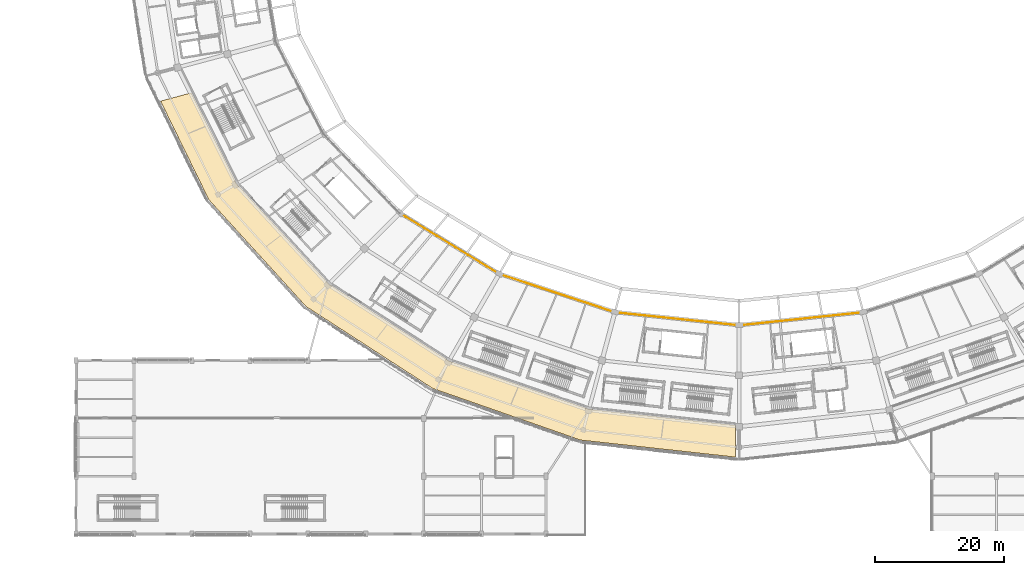
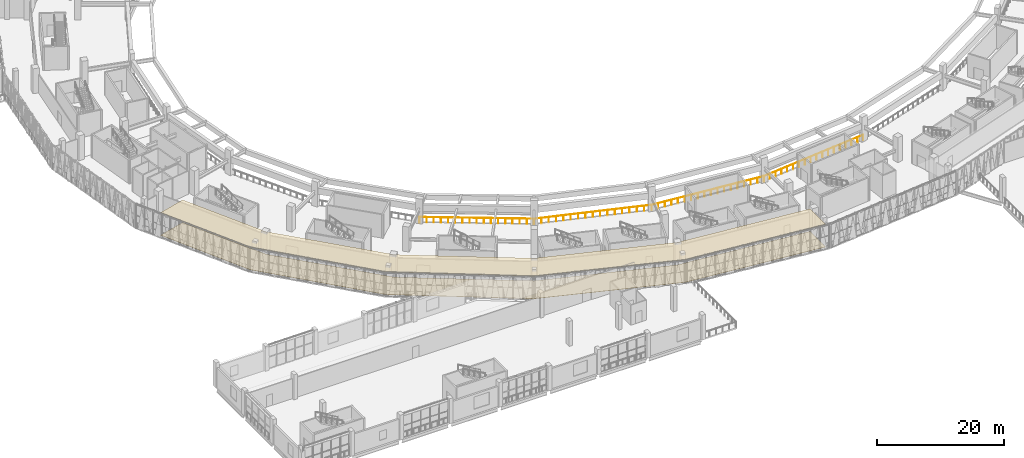
# One storey, part 135 of 179: 4 railings, 2 coverings.
"""IFC4 building model written with IfcOpenShell, lengths in metres."""

import ifcopenshell
import ifcopenshell.guid

model = None  # the IFC model being written
_history = None  # IfcOwnerHistory: only IFC2X3 demands one
_inside = {}  # id of a spatial element -> (the spatial element, [elements in it])
_under = {}  # id of a project, library or spatial element -> (it, [spatial elements below it])
_declared = {}  # id of a project -> (the project, [libraries it declares])
_typed = {}  # id of a type object -> (the type object, [elements of that type])
_made_of = {}  # id of a material, layer set ... -> (it, [elements and type objects made of it])


def new_model(schema):
    """Start an empty IFC model of exactly this schema.

    Asked for "IFC4X3", IfcOpenShell would pick the latest addendum, in which some entities
    have other attributes; the version numbers below select the first issue.
    IFC2X3 requires an IfcOwnerHistory on every rooted entity: one is made here for all.
    """
    global model, _history
    if schema == "IFC4X3":
        model = ifcopenshell.file(schema_version=(4, 3, 0, 0))
    else:
        model = ifcopenshell.file(schema=schema)
    _inside.clear()
    _under.clear()
    _declared.clear()
    _typed.clear()
    _made_of.clear()
    _history = None
    if model.schema == "IFC2X3":
        org = make("IfcOrganization", Name="unknown")
        user = make(
            "IfcPersonAndOrganization",
            ThePerson=make("IfcPerson", FamilyName="unknown"),
            TheOrganization=org,
        )
        app = make(
            "IfcApplication",
            ApplicationDeveloper=org,
            Version="unknown",
            ApplicationFullName="unknown",
            ApplicationIdentifier="unknown",
        )
        _history = make(
            "IfcOwnerHistory",
            OwningUser=user,
            OwningApplication=app,
            ChangeAction="ADDED",
            CreationDate=0,
        )
    return model


def make(cls, **values):
    """One entity of the class cls with the attributes given. An attribute that is None is left unset."""
    return model.create_entity(
        cls, **{name: value for name, value in values.items() if value is not None}
    )


def rooted(cls, **values):
    """An entity with a GlobalId (a new one), such as an element, a storey or a relation."""
    return make(cls, GlobalId=ifcopenshell.guid.new(), OwnerHistory=_history, **values)


def si_unit(unit_type, name, prefix=None):
    """IfcSIUnit, for example si_unit("LENGTHUNIT", "METRE", prefix="MILLI")."""
    return make("IfcSIUnit", UnitType=unit_type, Prefix=prefix, Name=name)


def assignment(units):
    """IfcUnitAssignment: the units of a project."""
    return None if units is None else make("IfcUnitAssignment", Units=units)


def point(xyz):
    """IfcCartesianPoint."""
    return None if xyz is None else make("IfcCartesianPoint", Coordinates=xyz)


def direction(xyz):
    """IfcDirection."""
    return None if xyz is None else make("IfcDirection", DirectionRatios=xyz)


def frame(location, z_axis=None, x_axis=None):
    """IfcAxis2Placement3D, a coordinate frame: its origin and axes. An axis left out is left unset."""
    return make(
        "IfcAxis2Placement3D",
        Location=point(location),
        Axis=direction(z_axis),
        RefDirection=direction(x_axis),
    )


def frame_2d(location, x_axis=None):
    """IfcAxis2Placement2D, a coordinate frame in the plane: its origin and x axis."""
    return make(
        "IfcAxis2Placement2D", Location=point(location), RefDirection=direction(x_axis)
    )


def origin():
    """The frame at (0, 0, 0) with its axes left unset."""
    return frame((0.0, 0.0, 0.0))


def origin_2d():
    """The frame at (0, 0) in the plane with its x axis left unset."""
    return frame_2d((0.0, 0.0))


def place(relative_to, where):
    """IfcLocalPlacement: puts the frame where relative to a parent placement (None: the world)."""
    return make(
        "IfcLocalPlacement", PlacementRelTo=relative_to, RelativePlacement=where
    )


def context(
    kind, dimensions, precision=None, world=None, true_north=None, identifier=None
):
    """IfcGeometricRepresentationContext, for example the 3D "Model" context."""
    return make(
        "IfcGeometricRepresentationContext",
        ContextIdentifier=identifier,
        ContextType=kind,
        CoordinateSpaceDimension=dimensions,
        Precision=precision,
        WorldCoordinateSystem=world,
        TrueNorth=true_north,
    )


def subcontext(parent, identifier, kind, view, scale=None):
    """IfcGeometricRepresentationSubContext, for example "Body" below "Model"."""
    return make(
        "IfcGeometricRepresentationSubContext",
        ContextIdentifier=identifier,
        ContextType=kind,
        ParentContext=parent,
        TargetScale=scale,
        TargetView=view,
    )


def project(units=None, contexts=None):
    """IfcProject with its units and contexts."""
    return rooted(
        "IfcProject",
        Name="project",
        RepresentationContexts=contexts,
        UnitsInContext=assignment(units),
    )


def spatial(cls, under=None, at=None, **own):
    """A site, building, storey or space (cls), placed at a placement, below another one or the project."""
    s = rooted(cls, ObjectPlacement=at, **own)
    if under is not None:
        _under.setdefault(under.id(), (under, []))[1].append(s)
    return s


def polyline(points):
    """IfcPolyline through the points."""
    return make("IfcPolyline", Points=[point(p) for p in points])


def profile(cls, at=None, kind="AREA", **sizes):
    """A parametric profile (cls). Its sizes go by their IFC names, for example OverallWidth=200.0."""
    return make(cls, ProfileType=kind, Position=at, **sizes)


def circle(**sizes):
    """IfcCircleProfileDef."""
    return profile("IfcCircleProfileDef", **sizes)


def outline(outer, holes=None, kind="AREA"):
    """IfcArbitraryClosedProfileDef: a profile drawn as a closed curve; with holes, ...WithVoids."""
    if holes is None:
        return make("IfcArbitraryClosedProfileDef", ProfileType=kind, OuterCurve=outer)
    return make(
        "IfcArbitraryProfileDefWithVoids",
        ProfileType=kind,
        OuterCurve=outer,
        InnerCurves=holes,
    )


def extrude(swept, where, along, depth):
    """IfcExtrudedAreaSolid: the profile swept, set in the frame where, extruded along a direction by depth."""
    return make(
        "IfcExtrudedAreaSolid",
        SweptArea=swept,
        Position=where,
        ExtrudedDirection=direction(along),
        Depth=depth,
    )


def shape(context_of_items, identifier, shape_type, items):
    """IfcShapeRepresentation: the items that make up one representation, for example the "Body"."""
    return make(
        "IfcShapeRepresentation",
        ContextOfItems=context_of_items,
        RepresentationIdentifier=identifier,
        RepresentationType=shape_type,
        Items=items,
    )


def material(Name=None, Category=None):
    """IfcMaterial."""
    return make("IfcMaterial", Name=Name, Category=Category)


def layer(
    of_material, thickness, ventilated=None, Name=None, Category=None, Priority=None
):
    """IfcMaterialLayer: one layer of a wall or slab, of a material (None: an air gap)."""
    return make(
        "IfcMaterialLayer",
        Material=of_material,
        LayerThickness=thickness,
        IsVentilated=ventilated,
        Name=Name,
        Category=Category,
        Priority=Priority,
    )


def layer_set(layers, Name=None):
    """IfcMaterialLayerSet."""
    return make("IfcMaterialLayerSet", MaterialLayers=layers, LayerSetName=Name)


def made_of(thing, what):
    """Note that an element or type object is made of a material, layer set ...; save() writes the relation."""
    if what is not None:
        _made_of.setdefault(what.id(), (what, []))[1].append(thing)
    return thing


def type_object(cls, material=None, **own):
    """A type object (cls), such as IfcWallType, which elements share."""
    return made_of(rooted(cls, **own), material)


def element(
    cls,
    number,
    at=None,
    inside=None,
    cuts=None,
    type_object=None,
    material=None,
    context=None,
    identifier="Body",
    shape_type=None,
    held_by="IfcProductDefinitionShape",
    body=None,
    shapes=None,
    **own,
):
    """One element of the class cls, such as IfcWall. Its Tag is "e" and its number.

    at: its placement. inside: the storey or other place that contains it. cuts: it is an
    opening in that element (IfcRelVoidsElement). A single representation is given by context,
    identifier, shape_type and body (its items); several are given by shapes. held_by: the class
    of the entity that holds the representations. save() writes the other relations.
    """
    e = rooted(cls, Tag="e%d" % number, ObjectPlacement=at, **own)
    if body is not None:
        shapes = [shape(context, identifier, shape_type, body)]
    if shapes is not None:
        e.Representation = make(held_by, Representations=shapes)
    if inside is not None:
        _inside.setdefault(inside.id(), (inside, []))[1].append(e)
    if cuts is not None:
        rooted(
            "IfcRelVoidsElement", RelatingBuildingElement=cuts, RelatedOpeningElement=e
        )
    if type_object is not None:
        _typed.setdefault(type_object.id(), (type_object, []))[1].append(e)
    return made_of(e, material)


def aggregate(whole, parts):
    """IfcRelAggregates: a whole, such as a stair, and the parts it consists of."""
    return rooted("IfcRelAggregates", RelatingObject=whole, RelatedObjects=parts)


def save(model, path):
    """Write the relations noted so far, then the file.

    IfcRelAggregates (storeys below a building ...), IfcRelContainedInSpatialStructure (elements
    in a storey), IfcRelDefinesByType, IfcRelAssociatesMaterial and IfcRelDeclares: one each for
    every whole, place, type object, material and project.
    """
    for whole, parts in _under.values():
        aggregate(whole, parts)
    for where, things in _inside.values():
        rooted(
            "IfcRelContainedInSpatialStructure",
            RelatedElements=things,
            RelatingStructure=where,
        )
    for kind, things in _typed.values():
        rooted("IfcRelDefinesByType", RelatedObjects=things, RelatingType=kind)
    for what, things in _made_of.values():
        rooted("IfcRelAssociatesMaterial", RelatedObjects=things, RelatingMaterial=what)
    for by, libraries in _declared.values():
        rooted("IfcRelDeclares", RelatingContext=by, RelatedDefinitions=libraries)
    model.write(path)


model = new_model("IFC4")

# Units and contexts
model_context = context("Model", 3, precision=1e-05, world=origin(), true_north=direction((0.0, 1.0)))
body_context = subcontext(model_context, "Body", "Model", "MODEL_VIEW")
ifc_project = project(units=[si_unit("LENGTHUNIT", "METRE"), si_unit("AREAUNIT", "SQUARE_METRE"), si_unit("VOLUMEUNIT", "CUBIC_METRE"), si_unit("PLANEANGLEUNIT", "RADIAN"), si_unit("MASSUNIT", "GRAM", prefix="KILO")], contexts=[model_context])

# Site, building, storey
site_placement = place(None, origin())
site = spatial("IfcSite", under=ifc_project, at=site_placement, CompositionType="ELEMENT")
building_placement = place(site_placement, origin())
building = spatial("IfcBuilding", under=site, at=building_placement, Name="Zevraka Park Crest Stadium", CompositionType="ELEMENT")
storey_placement = place(building_placement, frame((0.0, 0.0, 10.199951171875)))
storey = spatial("IfcBuildingStorey", under=building, at=storey_placement, Name="L02", CompositionType="ELEMENT", Elevation=10.199951171875)

# Coverings
ifc_material_1 = material(Name="Perforated acoustic mineral-fibre suspended ceiling", Category="other")
ifc_layer_1 = layer(ifc_material_1, 0.02490234375)
ifc_layer_set_1 = layer_set([ifc_layer_1], Name="Perforated acoustic mineral-fibre suspended ceiling")
covering_type_1 = type_object("IfcCoveringType", Name="CLG01", PredefinedType="CEILING", material=ifc_layer_set_1)
covering_1_placement = place(storey_placement, frame((0.0, 0.0, 4.360107421875)))
element("IfcCovering", 1, at=covering_1_placement, inside=storey, type_object=covering_type_1, Name="Acoustic Ceiling West Club Members Lounge L02-039", PredefinedType="CEILING", context=body_context, shape_type="SweptSolid", body=[
    extrude(outline(polyline([(33.9130859375, 54.430908203125), (33.922119140625, 54.4140625), (33.93310546875, 54.39892578125), (33.945068359375, 54.385009765625), (48.241943359375, 38.860107421875), (48.25390625, 38.846923828125), (48.26708984375, 38.8359375), (48.281005859375, 38.825927734375), (66.912109375, 26.9140625), (66.93310546875, 26.903076171875), (66.955078125, 26.89404296875), (88.652099609375, 19.405029296875), (88.673095703125, 19.39892578125), (88.695068359375, 19.39501953125), (111.445068359375, 16.89892578125), (111.445068359375, 11.968994140625), (87.366943359375, 14.615966796875), (64.4150390625, 22.631103515625), (44.715087890625, 35.3740234375), (29.614013671875, 51.965087890625), (22.115966796875, 67.281982421875), (26.885009765625, 68.56591796875), (33.9130859375, 54.430908203125)])), origin(), (0.0, 0.0, 1.0), 0.02490234375),
])
ifc_material_2 = material(Name="Honed terrazzo and slip-resistant sports flooring", Category="other")
ifc_layer_2 = layer(ifc_material_2, 0.0400390625)
ifc_layer_set_2 = layer_set([ifc_layer_2], Name="Honed terrazzo and slip-resistant sports flooring")
covering_type_2 = type_object("IfcCoveringType", Name="FLR01", PredefinedType="FLOORING", material=ifc_layer_set_2)
covering_2_placement = place(storey_placement, origin())
element("IfcCovering", 2, at=covering_2_placement, inside=storey, type_object=covering_type_2, Name="Terrazzo Floor Finish West Club Members Lounge L02-039", PredefinedType="FLOORING", context=body_context, shape_type="SweptSolid", body=[
    extrude(outline(polyline([(33.9130859375, 54.430908203125), (33.922119140625, 54.4140625), (33.93310546875, 54.39892578125), (33.945068359375, 54.385009765625), (48.241943359375, 38.860107421875), (48.25390625, 38.846923828125), (48.26708984375, 38.8359375), (48.281005859375, 38.825927734375), (66.912109375, 26.9140625), (66.93310546875, 26.903076171875), (66.955078125, 26.89404296875), (88.652099609375, 19.405029296875), (88.673095703125, 19.39892578125), (88.695068359375, 19.39501953125), (111.445068359375, 16.89892578125), (111.445068359375, 11.968994140625), (87.366943359375, 14.615966796875), (64.4150390625, 22.631103515625), (44.715087890625, 35.3740234375), (29.614013671875, 51.965087890625), (22.115966796875, 67.281982421875), (26.885009765625, 68.56591796875), (33.9130859375, 54.430908203125)])), origin(), (0.0, 0.0, 1.0), 0.0400390625),
])

# Railings
ifc_material_3 = material(Name="Galvanised and bronze-finished steel balustrade", Category="steel")
railing_type = type_object("IfcRailingType", Name="GR01", PredefinedType="GUARDRAIL", material=ifc_material_3)
railing_1_placement = place(storey_placement, frame((74.7080078125, 40.4150390625, 0.0)))
element("IfcRailing", 3, at=railing_1_placement, inside=storey, type_object=railing_type, Name="Deck Edge Protection Guardrail GR01 L02-55", PredefinedType="GUARDRAIL", context=body_context, shape_type="SweptSolid", body=[
    extrude(circle(Radius=0.02392578125, at=origin_2d()), frame((0.0, 0.0, 1.076171875), z_axis=(0.949355901641, -0.314202756226, 0.0), x_axis=(0.314202756226, 0.949355901641, 0.0)), (0.0, 0.0, 1.0), 18.959228515625),
    extrude(circle(Radius=0.02099609375, at=origin_2d()), origin(), (0.0, 0.0, 1.0), 1.052001953125),
    extrude(circle(Radius=0.02099609375, at=origin_2d()), frame((1.125, -0.372314453125, 0.0)), (0.0, 0.0, 1.0), 1.052001953125),
    extrude(circle(Radius=0.02099609375, at=origin_2d()), frame((2.25, -0.74462890625, 0.0)), (0.0, 0.0, 1.0), 1.052001953125),
    extrude(circle(Radius=0.02099609375, at=origin_2d()), frame((3.374755859375, -1.116943359375, 0.0)), (0.0, 0.0, 1.0), 1.052001953125),
    extrude(circle(Radius=0.02099609375, at=origin_2d()), frame((4.499755859375, -1.4892578125, 0.0)), (0.0, 0.0, 1.0), 1.052001953125),
    extrude(circle(Radius=0.02099609375, at=origin_2d()), frame((5.624755859375, -1.861572265625, 0.0)), (0.0, 0.0, 1.0), 1.052001953125),
    extrude(circle(Radius=0.02099609375, at=origin_2d()), frame((6.74951171875, -2.23388671875, 0.0)), (0.0, 0.0, 1.0), 1.052001953125),
    extrude(circle(Radius=0.02099609375, at=origin_2d()), frame((7.87451171875, -2.606201171875, 0.0)), (0.0, 0.0, 1.0), 1.052001953125),
    extrude(circle(Radius=0.02099609375, at=origin_2d()), frame((8.99951171875, -2.978515625, 0.0)), (0.0, 0.0, 1.0), 1.052001953125),
    extrude(circle(Radius=0.02099609375, at=origin_2d()), frame((10.12451171875, -3.350830078125, 0.0)), (0.0, 0.0, 1.0), 1.052001953125),
    extrude(circle(Radius=0.02099609375, at=origin_2d()), frame((11.24951171875, -3.72314453125, 0.0)), (0.0, 0.0, 1.0), 1.052001953125),
    extrude(circle(Radius=0.02099609375, at=origin_2d()), frame((12.374267578125, -4.095458984375, 0.0)), (0.0, 0.0, 1.0), 1.052001953125),
    extrude(circle(Radius=0.02099609375, at=origin_2d()), frame((13.499267578125, -4.4677734375, 0.0)), (0.0, 0.0, 1.0), 1.052001953125),
    extrude(circle(Radius=0.02099609375, at=origin_2d()), frame((14.624267578125, -4.840087890625, 0.0)), (0.0, 0.0, 1.0), 1.052001953125),
    extrude(circle(Radius=0.02099609375, at=origin_2d()), frame((15.7490234375, -5.21240234375, 0.0)), (0.0, 0.0, 1.0), 1.052001953125),
    extrude(circle(Radius=0.02099609375, at=origin_2d()), frame((16.8740234375, -5.584716796875, 0.0)), (0.0, 0.0, 1.0), 1.052001953125),
    extrude(circle(Radius=0.02099609375, at=origin_2d()), frame((17.9990234375, -5.95703125, 0.0)), (0.0, 0.0, 1.0), 1.052001953125),
])
railing_2_placement = place(storey_placement, frame((92.70703125, 34.4580078125, 0.0)))
element("IfcRailing", 4, at=railing_2_placement, inside=storey, type_object=railing_type, Name="Deck Edge Protection Guardrail GR01 L02-56", PredefinedType="GUARDRAIL", context=body_context, shape_type="SweptSolid", body=[
    extrude(circle(Radius=0.02392578125, at=origin_2d()), frame((0.0, 0.0, 1.076171875), z_axis=(0.994533326263, -0.104419648309, 0.0), x_axis=(0.104419648309, 0.994533326263, 0.0)), (0.0, 0.0, 1.0), 19.4130859375),
    extrude(circle(Radius=0.02099609375, at=origin_2d()), origin(), (0.0, 0.0, 1.0), 1.052001953125),
    extrude(circle(Radius=0.02099609375, at=origin_2d()), frame((1.1357421875, -0.119140625, 0.0)), (0.0, 0.0, 1.0), 1.052001953125),
    extrude(circle(Radius=0.02099609375, at=origin_2d()), frame((2.271484375, -0.238525390625, 0.0)), (0.0, 0.0, 1.0), 1.052001953125),
    extrude(circle(Radius=0.02099609375, at=origin_2d()), frame((3.406982421875, -0.357666015625, 0.0)), (0.0, 0.0, 1.0), 1.052001953125),
    extrude(circle(Radius=0.02099609375, at=origin_2d()), frame((4.542724609375, -0.47705078125, 0.0)), (0.0, 0.0, 1.0), 1.052001953125),
    extrude(circle(Radius=0.02099609375, at=origin_2d()), frame((5.678466796875, -0.59619140625, 0.0)), (0.0, 0.0, 1.0), 1.052001953125),
    extrude(circle(Radius=0.02099609375, at=origin_2d()), frame((6.814208984375, -0.71533203125, 0.0)), (0.0, 0.0, 1.0), 1.052001953125),
    extrude(circle(Radius=0.02099609375, at=origin_2d()), frame((7.949951171875, -0.834716796875, 0.0)), (0.0, 0.0, 1.0), 1.052001953125),
    extrude(circle(Radius=0.02099609375, at=origin_2d()), frame((9.085693359375, -0.953857421875, 0.0)), (0.0, 0.0, 1.0), 1.052001953125),
    extrude(circle(Radius=0.02099609375, at=origin_2d()), frame((10.22119140625, -1.0732421875, 0.0)), (0.0, 0.0, 1.0), 1.052001953125),
    extrude(circle(Radius=0.02099609375, at=origin_2d()), frame((11.35693359375, -1.1923828125, 0.0)), (0.0, 0.0, 1.0), 1.052001953125),
    extrude(circle(Radius=0.02099609375, at=origin_2d()), frame((12.49267578125, -1.311767578125, 0.0)), (0.0, 0.0, 1.0), 1.052001953125),
    extrude(circle(Radius=0.02099609375, at=origin_2d()), frame((13.62841796875, -1.430908203125, 0.0)), (0.0, 0.0, 1.0), 1.052001953125),
    extrude(circle(Radius=0.02099609375, at=origin_2d()), frame((14.76416015625, -1.550048828125, 0.0)), (0.0, 0.0, 1.0), 1.052001953125),
    extrude(circle(Radius=0.02099609375, at=origin_2d()), frame((15.89990234375, -1.66943359375, 0.0)), (0.0, 0.0, 1.0), 1.052001953125),
    extrude(circle(Radius=0.02099609375, at=origin_2d()), frame((17.035400390625, -1.78857421875, 0.0)), (0.0, 0.0, 1.0), 1.052001953125),
    extrude(circle(Radius=0.02099609375, at=origin_2d()), frame((18.171142578125, -1.907958984375, 0.0)), (0.0, 0.0, 1.0), 1.052001953125),
    extrude(circle(Radius=0.02099609375, at=origin_2d()), frame((19.306884765625, -2.027099609375, 0.0)), (0.0, 0.0, 1.0), 1.052001953125),
])
railing_3_placement = place(storey_placement, frame((112.013916015625, 32.430908203125, 0.0)))
element("IfcRailing", 5, at=railing_3_placement, inside=storey, type_object=railing_type, Name="Deck Edge Protection Guardrail GR01 L02-57", PredefinedType="GUARDRAIL", context=body_context, shape_type="SweptSolid", body=[
    extrude(circle(Radius=0.02392578125, at=origin_2d()), frame((0.0, 0.0, 1.076171875), z_axis=(0.994517660696, 0.104568745638, 0.0), x_axis=(-0.104568745638, 0.994517660696, 0.0)), (0.0, 0.0, 1.0), 19.38525390625),
    extrude(circle(Radius=0.02099609375, at=origin_2d()), origin(), (0.0, 0.0, 1.0), 1.052001953125),
    extrude(circle(Radius=0.02099609375, at=origin_2d()), frame((1.134033203125, 0.119140625, 0.0)), (0.0, 0.0, 1.0), 1.052001953125),
    extrude(circle(Radius=0.02099609375, at=origin_2d()), frame((2.26806640625, 0.238525390625, 0.0)), (0.0, 0.0, 1.0), 1.052001953125),
    extrude(circle(Radius=0.02099609375, at=origin_2d()), frame((3.402099609375, 0.357666015625, 0.0)), (0.0, 0.0, 1.0), 1.052001953125),
    extrude(circle(Radius=0.02099609375, at=origin_2d()), frame((4.5361328125, 0.47705078125, 0.0)), (0.0, 0.0, 1.0), 1.052001953125),
    extrude(circle(Radius=0.02099609375, at=origin_2d()), frame((5.67041015625, 0.59619140625, 0.0)), (0.0, 0.0, 1.0), 1.052001953125),
    extrude(circle(Radius=0.02099609375, at=origin_2d()), frame((6.804443359375, 0.71533203125, 0.0)), (0.0, 0.0, 1.0), 1.052001953125),
    extrude(circle(Radius=0.02099609375, at=origin_2d()), frame((7.9384765625, 0.834716796875, 0.0)), (0.0, 0.0, 1.0), 1.052001953125),
    extrude(circle(Radius=0.02099609375, at=origin_2d()), frame((9.072509765625, 0.953857421875, 0.0)), (0.0, 0.0, 1.0), 1.052001953125),
    extrude(circle(Radius=0.02099609375, at=origin_2d()), frame((10.20654296875, 1.0732421875, 0.0)), (0.0, 0.0, 1.0), 1.052001953125),
    extrude(circle(Radius=0.02099609375, at=origin_2d()), frame((11.340576171875, 1.1923828125, 0.0)), (0.0, 0.0, 1.0), 1.052001953125),
    extrude(circle(Radius=0.02099609375, at=origin_2d()), frame((12.474609375, 1.311767578125, 0.0)), (0.0, 0.0, 1.0), 1.052001953125),
    extrude(circle(Radius=0.02099609375, at=origin_2d()), frame((13.608642578125, 1.430908203125, 0.0)), (0.0, 0.0, 1.0), 1.052001953125),
    extrude(circle(Radius=0.02099609375, at=origin_2d()), frame((14.742919921875, 1.550048828125, 0.0)), (0.0, 0.0, 1.0), 1.052001953125),
    extrude(circle(Radius=0.02099609375, at=origin_2d()), frame((15.876953125, 1.66943359375, 0.0)), (0.0, 0.0, 1.0), 1.052001953125),
    extrude(circle(Radius=0.02099609375, at=origin_2d()), frame((17.010986328125, 1.78857421875, 0.0)), (0.0, 0.0, 1.0), 1.052001953125),
    extrude(circle(Radius=0.02099609375, at=origin_2d()), frame((18.14501953125, 1.907958984375, 0.0)), (0.0, 0.0, 1.0), 1.052001953125),
    extrude(circle(Radius=0.02099609375, at=origin_2d()), frame((19.279052734375, 2.027099609375, 0.0)), (0.0, 0.0, 1.0), 1.052001953125),
])
railing_4_placement = place(storey_placement, frame((59.279052734375, 49.87109375, 0.0)))
element("IfcRailing", 6, at=railing_4_placement, inside=storey, type_object=railing_type, Name="Deck Edge Protection Guardrail GR01 L02-78", PredefinedType="GUARDRAIL", context=body_context, shape_type="SweptSolid", body=[
    extrude(circle(Radius=0.02392578125, at=origin_2d()), frame((0.0, 0.0, 1.076171875), z_axis=(0.852611141133, -0.522545923356, 0.0), x_axis=(0.522545923356, 0.852611141133, 0.0)), (0.0, 0.0, 1.0), 18.09619140625),
    extrude(circle(Radius=0.02099609375, at=origin_2d()), origin(), (0.0, 0.0, 1.0), 1.052001953125),
    extrude(circle(Radius=0.02099609375, at=origin_2d()), frame((0.96435546875, -0.591064453125, 0.0)), (0.0, 0.0, 1.0), 1.052001953125),
    extrude(circle(Radius=0.02099609375, at=origin_2d()), frame((1.9287109375, -1.18212890625, 0.0)), (0.0, 0.0, 1.0), 1.052001953125),
    extrude(circle(Radius=0.02099609375, at=origin_2d()), frame((2.892822265625, -1.77294921875, 0.0)), (0.0, 0.0, 1.0), 1.052001953125),
    extrude(circle(Radius=0.02099609375, at=origin_2d()), frame((3.857177734375, -2.364013671875, 0.0)), (0.0, 0.0, 1.0), 1.052001953125),
    extrude(circle(Radius=0.02099609375, at=origin_2d()), frame((4.821533203125, -2.955078125, 0.0)), (0.0, 0.0, 1.0), 1.052001953125),
    extrude(circle(Radius=0.02099609375, at=origin_2d()), frame((5.785888671875, -3.5458984375, 0.0)), (0.0, 0.0, 1.0), 1.052001953125),
    extrude(circle(Radius=0.02099609375, at=origin_2d()), frame((6.750244140625, -4.136962890625, 0.0)), (0.0, 0.0, 1.0), 1.052001953125),
    extrude(circle(Radius=0.02099609375, at=origin_2d()), frame((7.71435546875, -4.72802734375, 0.0)), (0.0, 0.0, 1.0), 1.052001953125),
    extrude(circle(Radius=0.02099609375, at=origin_2d()), frame((8.6787109375, -5.319091796875, 0.0)), (0.0, 0.0, 1.0), 1.052001953125),
    extrude(circle(Radius=0.02099609375, at=origin_2d()), frame((9.64306640625, -5.91015625, 0.0)), (0.0, 0.0, 1.0), 1.052001953125),
    extrude(circle(Radius=0.02099609375, at=origin_2d()), frame((10.607421875, -6.5009765625, 0.0)), (0.0, 0.0, 1.0), 1.052001953125),
    extrude(circle(Radius=0.02099609375, at=origin_2d()), frame((11.57177734375, -7.092041015625, 0.0)), (0.0, 0.0, 1.0), 1.052001953125),
    extrude(circle(Radius=0.02099609375, at=origin_2d()), frame((12.5361328125, -7.68310546875, 0.0)), (0.0, 0.0, 1.0), 1.052001953125),
    extrude(circle(Radius=0.02099609375, at=origin_2d()), frame((13.500244140625, -8.27392578125, 0.0)), (0.0, 0.0, 1.0), 1.052001953125),
    extrude(circle(Radius=0.02099609375, at=origin_2d()), frame((14.464599609375, -8.864990234375, 0.0)), (0.0, 0.0, 1.0), 1.052001953125),
    extrude(circle(Radius=0.02099609375, at=origin_2d()), frame((15.428955078125, -9.4560546875, 0.0)), (0.0, 0.0, 1.0), 1.052001953125),
])

save(model, "model.ifc")
